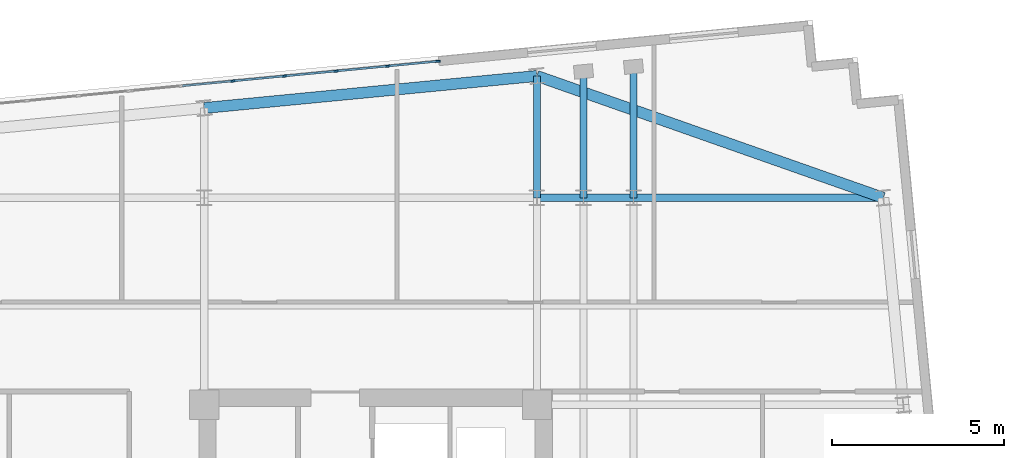
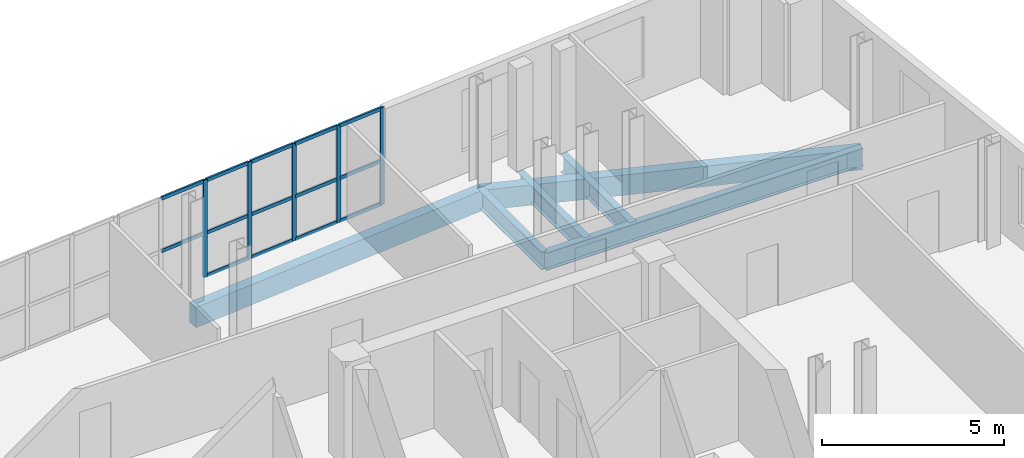
# One storey, part 4 of 11: 19 members, 6 beams, 1 element without a shape of its own.
"""IFC4 building model written with IfcOpenShell, lengths in metres."""

from ifc_helpers import new_model, si_unit, direction, frame, origin, origin_2d, place, context, subcontext, project, spatial, rectangle, i_section, extrude, material, layer, layer_set, material_profile, profile_set, type_object, element, aggregate, save


model = new_model("IFC4")

# Units and contexts
model_context = context("Model", 3, precision=1e-05, world=origin(), true_north=direction((0.0, 1.0)))
body_context = subcontext(model_context, "Body", "Model", "MODEL_VIEW")
ifc_project = project(units=[si_unit("LENGTHUNIT", "METRE"), si_unit("AREAUNIT", "SQUARE_METRE"), si_unit("VOLUMEUNIT", "CUBIC_METRE"), si_unit("PLANEANGLEUNIT", "RADIAN"), si_unit("MASSUNIT", "GRAM", prefix="KILO")], contexts=[model_context])

# Site, building, storey
site_placement = place(None, origin())
site = spatial("IfcSite", under=ifc_project, at=site_placement, CompositionType="ELEMENT")
building_placement = place(site_placement, origin())
building = spatial("IfcBuilding", under=site, at=building_placement, Name="Velakula Bourse", CompositionType="ELEMENT")
storey_placement = place(building_placement, frame((0.0, 0.0, 279.300048828125)))
storey = spatial("IfcBuildingStorey", under=building, at=storey_placement, Name="L76", CompositionType="ELEMENT", Elevation=279.300048828125)

# Beams
ifc_material_1 = material(Name="Steel IS 2062 Grade 350 (E350)", Category="steel")
ifc_material_profile_1 = material_profile(ifc_material_1, i_section(OverallWidth=0.2099609375, OverallDepth=0.60009765625, WebThickness=0.011962890625, FlangeThickness=0.020751953125, at=origin_2d()), Name="Steel IS 2062 Grade 350 (E350)")
ifc_profile_set_1 = profile_set([ifc_material_profile_1], Name="Steel IS 2062 Grade 350 (E350)")
beam_type_1 = type_object("IfcBeamType", Name="BM-GRD-600L", PredefinedType="BEAM", material=ifc_profile_set_1)
beam_1_placement = place(storey_placement, frame((18.60009765625, 14.60009765625, -0.47998046875), z_axis=(0.0, 1.0, 0.0), x_axis=(-1.0, 0.0, 0.0)))
element("IfcBeam", 1, at=beam_1_placement, inside=storey, type_object=beam_type_1, Name="L76 Perimeter Tie Girder N4", PredefinedType="BEAM", context=body_context, shape_type="SweptSolid", body=[
    extrude(i_section(OverallWidth=0.2099609375, OverallDepth=0.60009765625, WebThickness=0.011962890625, FlangeThickness=0.020751953125, at=origin_2d()), origin(), (0.0, 0.0, 1.0), 3.53369140625),
])
beam_2_placement = place(storey_placement, frame((18.60009765625, 14.60009765625, -0.47998046875), z_axis=(1.0, 0.0, 0.0), x_axis=(0.0, 1.0, 0.0)))
element("IfcBeam", 2, at=beam_2_placement, inside=storey, type_object=beam_type_1, Name="L76 Perimeter Tie Girder E4", PredefinedType="BEAM", context=body_context, shape_type="SweptSolid", body=[
    extrude(i_section(OverallWidth=0.2099609375, OverallDepth=0.60009765625, WebThickness=0.011962890625, FlangeThickness=0.020751953125, at=origin_2d()), origin(), (0.0, 0.0, 1.0), 10.044921875),
])
beam_3_placement = place(storey_placement, frame((19.949951171875, 14.60009765625, -0.47998046875), z_axis=(0.0, 1.0, 0.0), x_axis=(-1.0, 0.0, 0.0)))
element("IfcBeam", 3, at=beam_3_placement, inside=storey, type_object=beam_type_1, Name="L76 Perimeter Tie Girder P07", PredefinedType="BEAM", context=body_context, shape_type="SweptSolid", body=[
    extrude(i_section(OverallWidth=0.2099609375, OverallDepth=0.60009765625, WebThickness=0.011962890625, FlangeThickness=0.020751953125, at=origin_2d()), origin(), (0.0, 0.0, 1.0), 3.66357421875),
])
beam_4_placement = place(storey_placement, frame((21.39990234375, 14.60009765625, -0.47998046875), z_axis=(0.0, 1.0, 0.0), x_axis=(-1.0, 0.0, 0.0)))
element("IfcBeam", 4, at=beam_4_placement, inside=storey, type_object=beam_type_1, Name="L76 Perimeter Tie Girder P08", PredefinedType="BEAM", context=body_context, shape_type="SweptSolid", body=[
    extrude(i_section(OverallWidth=0.2099609375, OverallDepth=0.60009765625, WebThickness=0.011962890625, FlangeThickness=0.020751953125, at=origin_2d()), origin(), (0.0, 0.0, 1.0), 3.80322265625),
])

# Curtain wall, members
ifc_material_2 = material(Name="Anodised bronze architectural aluminium", Category="aluminium")
ifc_layer = layer(ifc_material_2, 0.1298828125, Name="Anodised bronze architectural aluminium", Category="aluminium")
ifc_layer_set = layer_set([ifc_layer], Name="Anodised bronze architectural aluminium")
curtain_wall_type = type_object("IfcCurtainWallType", Name="CW-OB1", PredefinedType="NOTDEFINED", material=ifc_layer_set)
curtain_wall_placement = place(storey_placement, origin())
curtain_wall = element("IfcCurtainWall", 5, at=curtain_wall_placement, inside=storey, type_object=curtain_wall_type, Name="L76 Public Observation Panoramic Curtain Wall B4", PredefinedType="NOTDEFINED")
ifc_material_profile_2 = material_profile(ifc_material_2, rectangle(XDim=0.06005859375, YDim=0.1298828125, at=origin_2d()), Name="Anodised bronze architectural aluminium")
ifc_profile_set_2 = profile_set([ifc_material_profile_2], Name="Anodised bronze architectural aluminium")
member_type_1 = type_object("IfcMemberType", Name="MUL-CW-OB1", PredefinedType="MULLION", material=ifc_profile_set_2)
member_1_placement = place(storey_placement, frame((9.783447265625, 17.988037109375, 0.0), z_axis=(0.0, 0.0, 1.0), x_axis=(-0.095844093769, 0.995396358085, 0.0)))
member_1 = element("IfcMember", 6, at=member_1_placement, type_object=member_type_1, Name="CW-OB1 mullion 3", PredefinedType="MULLION", context=body_context, shape_type="SweptSolid", body=[
    extrude(rectangle(XDim=0.06005859375, YDim=0.1298828125, at=origin_2d()), origin(), (0.0, 0.0, 1.0), 3.25),
])
member_2_placement = place(storey_placement, frame((11.276611328125, 18.1318359375, 0.0), z_axis=(0.0, 0.0, 1.0), x_axis=(-0.095844093769, 0.995396358085, 0.0)))
member_2 = element("IfcMember", 7, at=member_2_placement, type_object=member_type_1, Name="CW-OB1 mullion 4", PredefinedType="MULLION", context=body_context, shape_type="SweptSolid", body=[
    extrude(rectangle(XDim=0.06005859375, YDim=0.1298828125, at=origin_2d()), origin(), (0.0, 0.0, 1.0), 3.25),
])
member_3_placement = place(storey_placement, frame((12.76953125, 18.275634765625, 0.0), z_axis=(0.0, 0.0, 1.0), x_axis=(-0.095844093769, 0.995396358085, 0.0)))
member_3 = element("IfcMember", 8, at=member_3_placement, type_object=member_type_1, Name="CW-OB1 mullion 5", PredefinedType="MULLION", context=body_context, shape_type="SweptSolid", body=[
    extrude(rectangle(XDim=0.06005859375, YDim=0.1298828125, at=origin_2d()), origin(), (0.0, 0.0, 1.0), 3.25),
])
member_4_placement = place(storey_placement, frame((14.2626953125, 18.41943359375, 0.0), z_axis=(0.0, 0.0, 1.0), x_axis=(-0.095844093769, 0.995396358085, 0.0)))
member_4 = element("IfcMember", 9, at=member_4_placement, type_object=member_type_1, Name="CW-OB1 mullion 6", PredefinedType="MULLION", context=body_context, shape_type="SweptSolid", body=[
    extrude(rectangle(XDim=0.06005859375, YDim=0.1298828125, at=origin_2d()), origin(), (0.0, 0.0, 1.0), 3.25),
])
member_5_placement = place(storey_placement, frame((15.725830078125, 18.560302734375, 0.0), z_axis=(0.0, 0.0, 1.0), x_axis=(-0.095844093769, 0.995396358085, 0.0)))
member_5 = element("IfcMember", 10, at=member_5_placement, type_object=member_type_1, Name="CW-OB1 mullion 7", PredefinedType="MULLION", context=body_context, shape_type="SweptSolid", body=[
    extrude(rectangle(XDim=0.06005859375, YDim=0.1298828125, at=origin_2d()), origin(), (0.0, 0.0, 1.0), 3.25),
])

# Beams
ifc_material_3 = material(Name="Precast concrete M45 (fck 45 MPa)", Category="concrete")
ifc_material_profile_3 = material_profile(ifc_material_3, rectangle(XDim=0.320068359375, YDim=0.679931640625, at=origin_2d()), Name="Precast concrete M45 (fck 45 MPa)")
ifc_profile_set_3 = profile_set([ifc_material_profile_3], Name="Precast concrete M45 (fck 45 MPa)")
beam_type_2 = type_object("IfcBeamType", Name="SPN-BRICK-680", PredefinedType="SPANDREL", material=ifc_profile_set_3)
beam_5_placement = place(storey_placement, frame((8.949951171875, 17.20458984375, -0.52001953125), z_axis=(0.99539623971, 0.095845323155, 0.0), x_axis=(-0.095845323155, 0.99539623971, 0.0)))
element("IfcBeam", 11, at=beam_5_placement, inside=storey, type_object=beam_type_2, Name="L76 Brick-Faced Precast Spandrel N3-N4", PredefinedType="SPANDREL", context=body_context, shape_type="SweptSolid", body=[
    extrude(rectangle(XDim=0.320068359375, YDim=0.679931640625, at=origin_2d()), origin(), (0.0, 0.0, 1.0), 9.69482421875),
])
beam_6_placement = place(storey_placement, frame((28.64501953125, 14.60009765625, -0.52001953125), z_axis=(-0.943331000058, 0.331853317491, 0.0), x_axis=(-0.331853317491, -0.943331000058, 0.0)))
element("IfcBeam", 12, at=beam_6_placement, inside=storey, type_object=beam_type_2, Name="L76 Brick-Faced Precast Spandrel E4-N4", PredefinedType="SPANDREL", context=body_context, shape_type="SweptSolid", body=[
    extrude(rectangle(XDim=0.320068359375, YDim=0.679931640625, at=origin_2d()), origin(), (0.0, 0.0, 1.0), 10.6484375),
])

# Member
ifc_material_profile_4 = material_profile(ifc_material_2, rectangle(XDim=0.06005859375, YDim=0.114990234375, at=origin_2d()), Name="Anodised bronze architectural aluminium")
ifc_profile_set_4 = profile_set([ifc_material_profile_4], Name="Anodised bronze architectural aluminium")
member_type_2 = type_object("IfcMemberType", Name="TRN-CW-OB1", PredefinedType="USERDEFINED", material=ifc_profile_set_4)
member_6_placement = place(storey_placement, frame((8.320068359375, 17.84716796875, 1.46240234375), z_axis=(0.99540125991, 0.095793171836, 0.0), x_axis=(-0.095793171836, 0.99540125991, 0.0)))
member_6 = element("IfcMember", 13, at=member_6_placement, type_object=member_type_2, Name="CW-OB1 transom 2.2", ObjectType="TRANSOM", PredefinedType="USERDEFINED", context=body_context, shape_type="SweptSolid", body=[
    extrude(rectangle(XDim=0.06005859375, YDim=0.114990234375, at=origin_2d()), origin(), (0.0, 0.0, 1.0), 1.43994140625),
])

member_7_placement = place(storey_placement, frame((8.320068359375, 17.84716796875, 3.219970703125), z_axis=(0.99540125991, 0.095793171836, 0.0), x_axis=(-0.095793171836, 0.99540125991, 0.0)))
member_7 = element("IfcMember", 14, at=member_7_placement, type_object=member_type_2, Name="CW-OB1 transom 2.3", ObjectType="TRANSOM", PredefinedType="USERDEFINED", context=body_context, shape_type="SweptSolid", body=[
    extrude(rectangle(XDim=0.06005859375, YDim=0.114990234375, at=origin_2d()), origin(), (0.0, 0.0, 1.0), 1.43994140625),
])

member_8_placement = place(storey_placement, frame((9.813232421875, 17.990966796875, 0.030029296875), z_axis=(0.99540125991, 0.095793171836, 0.0), x_axis=(-0.095793171836, 0.99540125991, 0.0)))
member_8 = element("IfcMember", 15, at=member_8_placement, type_object=member_type_2, Name="CW-OB1 transom 3.1", ObjectType="TRANSOM", PredefinedType="USERDEFINED", context=body_context, shape_type="SweptSolid", body=[
    extrude(rectangle(XDim=0.06005859375, YDim=0.114990234375, at=origin_2d()), origin(), (0.0, 0.0, 1.0), 1.43994140625),
])

member_9_placement = place(storey_placement, frame((9.813232421875, 17.990966796875, 1.46240234375), z_axis=(0.99540125991, 0.095793171836, 0.0), x_axis=(-0.095793171836, 0.99540125991, 0.0)))
member_9 = element("IfcMember", 16, at=member_9_placement, type_object=member_type_2, Name="CW-OB1 transom 3.2", ObjectType="TRANSOM", PredefinedType="USERDEFINED", context=body_context, shape_type="SweptSolid", body=[
    extrude(rectangle(XDim=0.06005859375, YDim=0.114990234375, at=origin_2d()), origin(), (0.0, 0.0, 1.0), 1.43994140625),
])

member_10_placement = place(storey_placement, frame((9.813232421875, 17.990966796875, 3.219970703125), z_axis=(0.99540125991, 0.095793171836, 0.0), x_axis=(-0.095793171836, 0.99540125991, 0.0)))
member_10 = element("IfcMember", 17, at=member_10_placement, type_object=member_type_2, Name="CW-OB1 transom 3.3", ObjectType="TRANSOM", PredefinedType="USERDEFINED", context=body_context, shape_type="SweptSolid", body=[
    extrude(rectangle(XDim=0.06005859375, YDim=0.114990234375, at=origin_2d()), origin(), (0.0, 0.0, 1.0), 1.43994140625),
])

member_11_placement = place(storey_placement, frame((11.306396484375, 18.134765625, 0.030029296875), z_axis=(0.99540125991, 0.095793171836, 0.0), x_axis=(-0.095793171836, 0.99540125991, 0.0)))
member_11 = element("IfcMember", 18, at=member_11_placement, type_object=member_type_2, Name="CW-OB1 transom 4.1", ObjectType="TRANSOM", PredefinedType="USERDEFINED", context=body_context, shape_type="SweptSolid", body=[
    extrude(rectangle(XDim=0.06005859375, YDim=0.114990234375, at=origin_2d()), origin(), (0.0, 0.0, 1.0), 1.43994140625),
])

member_12_placement = place(storey_placement, frame((11.306396484375, 18.134765625, 1.46240234375), z_axis=(0.99540125991, 0.095793171836, 0.0), x_axis=(-0.095793171836, 0.99540125991, 0.0)))
member_12 = element("IfcMember", 19, at=member_12_placement, type_object=member_type_2, Name="CW-OB1 transom 4.2", ObjectType="TRANSOM", PredefinedType="USERDEFINED", context=body_context, shape_type="SweptSolid", body=[
    extrude(rectangle(XDim=0.06005859375, YDim=0.114990234375, at=origin_2d()), origin(), (0.0, 0.0, 1.0), 1.43994140625),
])

member_13_placement = place(storey_placement, frame((11.306396484375, 18.134765625, 3.219970703125), z_axis=(0.99540125991, 0.095793171836, 0.0), x_axis=(-0.095793171836, 0.99540125991, 0.0)))
member_13 = element("IfcMember", 20, at=member_13_placement, type_object=member_type_2, Name="CW-OB1 transom 4.3", ObjectType="TRANSOM", PredefinedType="USERDEFINED", context=body_context, shape_type="SweptSolid", body=[
    extrude(rectangle(XDim=0.06005859375, YDim=0.114990234375, at=origin_2d()), origin(), (0.0, 0.0, 1.0), 1.43994140625),
])

member_14_placement = place(storey_placement, frame((12.799560546875, 18.2783203125, 0.030029296875), z_axis=(0.995385079392, 0.095961157373, 0.0), x_axis=(-0.095961157373, 0.995385079392, 0.0)))
member_14 = element("IfcMember", 21, at=member_14_placement, type_object=member_type_2, Name="CW-OB1 transom 5.1", ObjectType="TRANSOM", PredefinedType="USERDEFINED", context=body_context, shape_type="SweptSolid", body=[
    extrude(rectangle(XDim=0.06005859375, YDim=0.114990234375, at=origin_2d()), origin(), (0.0, 0.0, 1.0), 1.43994140625),
])

member_15_placement = place(storey_placement, frame((12.799560546875, 18.2783203125, 1.46240234375), z_axis=(0.995385079392, 0.095961157373, 0.0), x_axis=(-0.095961157373, 0.995385079392, 0.0)))
member_15 = element("IfcMember", 22, at=member_15_placement, type_object=member_type_2, Name="CW-OB1 transom 5.2", ObjectType="TRANSOM", PredefinedType="USERDEFINED", context=body_context, shape_type="SweptSolid", body=[
    extrude(rectangle(XDim=0.06005859375, YDim=0.114990234375, at=origin_2d()), origin(), (0.0, 0.0, 1.0), 1.43994140625),
])

member_16_placement = place(storey_placement, frame((12.799560546875, 18.2783203125, 3.219970703125), z_axis=(0.995385079392, 0.095961157373, 0.0), x_axis=(-0.095961157373, 0.995385079392, 0.0)))
member_16 = element("IfcMember", 23, at=member_16_placement, type_object=member_type_2, Name="CW-OB1 transom 5.3", ObjectType="TRANSOM", PredefinedType="USERDEFINED", context=body_context, shape_type="SweptSolid", body=[
    extrude(rectangle(XDim=0.06005859375, YDim=0.114990234375, at=origin_2d()), origin(), (0.0, 0.0, 1.0), 1.43994140625),
])

member_17_placement = place(storey_placement, frame((14.29248046875, 18.422119140625, 0.030029296875), z_axis=(0.995389022244, 0.095920250187, 0.0), x_axis=(-0.095920250187, 0.995389022244, 0.0)))
member_17 = element("IfcMember", 24, at=member_17_placement, type_object=member_type_2, Name="CW-OB1 transom 6.1", ObjectType="TRANSOM", PredefinedType="USERDEFINED", context=body_context, shape_type="SweptSolid", body=[
    extrude(rectangle(XDim=0.06005859375, YDim=0.114990234375, at=origin_2d()), origin(), (0.0, 0.0, 1.0), 1.41015625),
])

member_18_placement = place(storey_placement, frame((14.29248046875, 18.422119140625, 1.46240234375), z_axis=(0.995389022244, 0.095920250187, 0.0), x_axis=(-0.095920250187, 0.995389022244, 0.0)))
member_18 = element("IfcMember", 25, at=member_18_placement, type_object=member_type_2, Name="CW-OB1 transom 6.2", ObjectType="TRANSOM", PredefinedType="USERDEFINED", context=body_context, shape_type="SweptSolid", body=[
    extrude(rectangle(XDim=0.06005859375, YDim=0.114990234375, at=origin_2d()), origin(), (0.0, 0.0, 1.0), 1.41015625),
])

member_19_placement = place(storey_placement, frame((14.29248046875, 18.422119140625, 3.219970703125), z_axis=(0.995389022244, 0.095920250187, 0.0), x_axis=(-0.095920250187, 0.995389022244, 0.0)))
member_19 = element("IfcMember", 26, at=member_19_placement, type_object=member_type_2, Name="CW-OB1 transom 6.3", ObjectType="TRANSOM", PredefinedType="USERDEFINED", context=body_context, shape_type="SweptSolid", body=[
    extrude(rectangle(XDim=0.06005859375, YDim=0.114990234375, at=origin_2d()), origin(), (0.0, 0.0, 1.0), 1.41015625),
])

aggregate(curtain_wall, [member_1, member_2, member_3, member_4, member_5, member_6, member_7, member_8, member_9, member_10, member_11, member_12, member_13, member_14, member_15, member_16, member_17, member_18, member_19])

save(model, "model.ifc")
